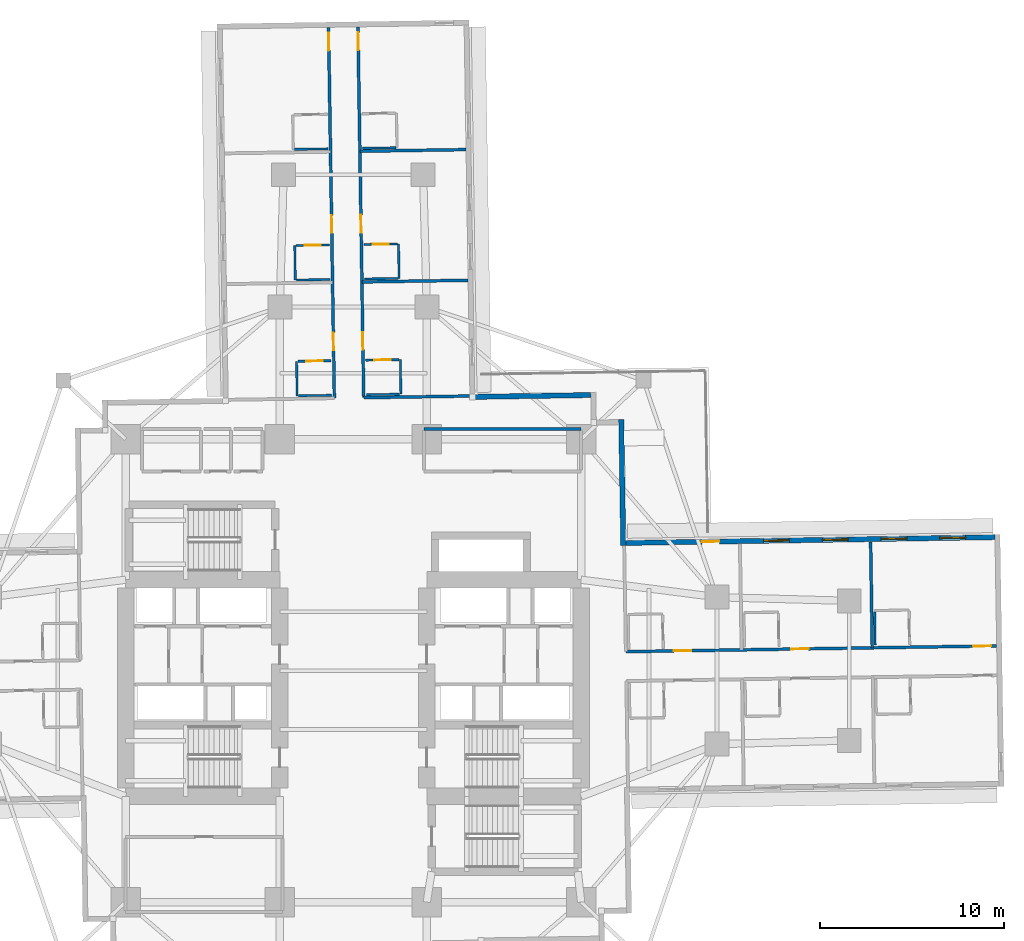
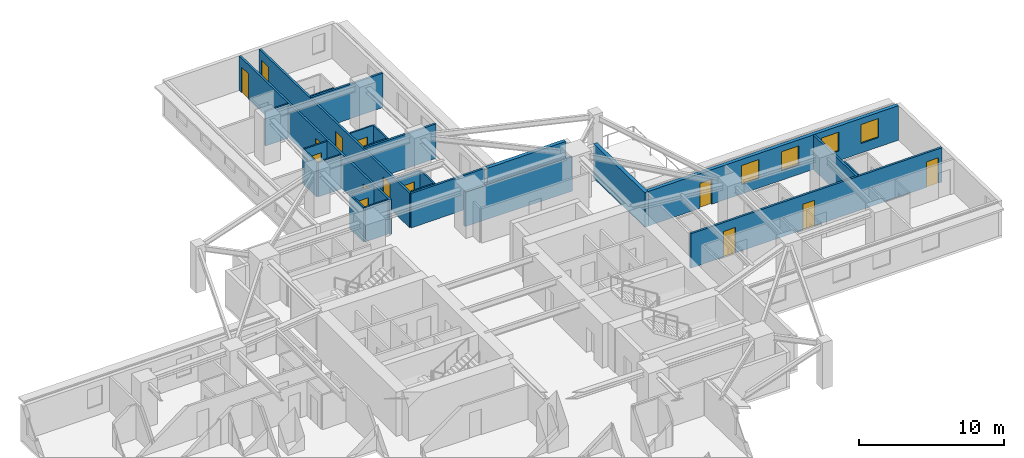
# One storey, part 8 of 14: 26 walls, 14 doors, 4 windows, 18 openings.
"""IFC4 building model written with IfcOpenShell, lengths in metres."""

import ifcopenshell
import ifcopenshell.guid

model = None  # the IFC model being written
_history = None  # IfcOwnerHistory: only IFC2X3 demands one
_inside = {}  # id of a spatial element -> (the spatial element, [elements in it])
_under = {}  # id of a project, library or spatial element -> (it, [spatial elements below it])
_declared = {}  # id of a project -> (the project, [libraries it declares])
_typed = {}  # id of a type object -> (the type object, [elements of that type])
_made_of = {}  # id of a material, layer set ... -> (it, [elements and type objects made of it])


def new_model(schema):
    """Start an empty IFC model of exactly this schema.

    Asked for "IFC4X3", IfcOpenShell would pick the latest addendum, in which some entities
    have other attributes; the version numbers below select the first issue.
    IFC2X3 requires an IfcOwnerHistory on every rooted entity: one is made here for all.
    """
    global model, _history
    if schema == "IFC4X3":
        model = ifcopenshell.file(schema_version=(4, 3, 0, 0))
    else:
        model = ifcopenshell.file(schema=schema)
    _inside.clear()
    _under.clear()
    _declared.clear()
    _typed.clear()
    _made_of.clear()
    _history = None
    if model.schema == "IFC2X3":
        org = make("IfcOrganization", Name="unknown")
        user = make(
            "IfcPersonAndOrganization",
            ThePerson=make("IfcPerson", FamilyName="unknown"),
            TheOrganization=org,
        )
        app = make(
            "IfcApplication",
            ApplicationDeveloper=org,
            Version="unknown",
            ApplicationFullName="unknown",
            ApplicationIdentifier="unknown",
        )
        _history = make(
            "IfcOwnerHistory",
            OwningUser=user,
            OwningApplication=app,
            ChangeAction="ADDED",
            CreationDate=0,
        )
    return model


def make(cls, **values):
    """One entity of the class cls with the attributes given. An attribute that is None is left unset."""
    return model.create_entity(
        cls, **{name: value for name, value in values.items() if value is not None}
    )


def rooted(cls, **values):
    """An entity with a GlobalId (a new one), such as an element, a storey or a relation."""
    return make(cls, GlobalId=ifcopenshell.guid.new(), OwnerHistory=_history, **values)


def si_unit(unit_type, name, prefix=None):
    """IfcSIUnit, for example si_unit("LENGTHUNIT", "METRE", prefix="MILLI")."""
    return make("IfcSIUnit", UnitType=unit_type, Prefix=prefix, Name=name)


def assignment(units):
    """IfcUnitAssignment: the units of a project."""
    return None if units is None else make("IfcUnitAssignment", Units=units)


def point(xyz):
    """IfcCartesianPoint."""
    return None if xyz is None else make("IfcCartesianPoint", Coordinates=xyz)


def direction(xyz):
    """IfcDirection."""
    return None if xyz is None else make("IfcDirection", DirectionRatios=xyz)


def frame(location, z_axis=None, x_axis=None):
    """IfcAxis2Placement3D, a coordinate frame: its origin and axes. An axis left out is left unset."""
    return make(
        "IfcAxis2Placement3D",
        Location=point(location),
        Axis=direction(z_axis),
        RefDirection=direction(x_axis),
    )


def frame_2d(location, x_axis=None):
    """IfcAxis2Placement2D, a coordinate frame in the plane: its origin and x axis."""
    return make(
        "IfcAxis2Placement2D", Location=point(location), RefDirection=direction(x_axis)
    )


def origin():
    """The frame at (0, 0, 0) with its axes left unset."""
    return frame((0.0, 0.0, 0.0))


def place(relative_to, where):
    """IfcLocalPlacement: puts the frame where relative to a parent placement (None: the world)."""
    return make(
        "IfcLocalPlacement", PlacementRelTo=relative_to, RelativePlacement=where
    )


def context(
    kind, dimensions, precision=None, world=None, true_north=None, identifier=None
):
    """IfcGeometricRepresentationContext, for example the 3D "Model" context."""
    return make(
        "IfcGeometricRepresentationContext",
        ContextIdentifier=identifier,
        ContextType=kind,
        CoordinateSpaceDimension=dimensions,
        Precision=precision,
        WorldCoordinateSystem=world,
        TrueNorth=true_north,
    )


def subcontext(parent, identifier, kind, view, scale=None):
    """IfcGeometricRepresentationSubContext, for example "Body" below "Model"."""
    return make(
        "IfcGeometricRepresentationSubContext",
        ContextIdentifier=identifier,
        ContextType=kind,
        ParentContext=parent,
        TargetScale=scale,
        TargetView=view,
    )


def project(units=None, contexts=None):
    """IfcProject with its units and contexts."""
    return rooted(
        "IfcProject",
        Name="project",
        RepresentationContexts=contexts,
        UnitsInContext=assignment(units),
    )


def spatial(cls, under=None, at=None, **own):
    """A site, building, storey or space (cls), placed at a placement, below another one or the project."""
    s = rooted(cls, ObjectPlacement=at, **own)
    if under is not None:
        _under.setdefault(under.id(), (under, []))[1].append(s)
    return s


def profile(cls, at=None, kind="AREA", **sizes):
    """A parametric profile (cls). Its sizes go by their IFC names, for example OverallWidth=200.0."""
    return make(cls, ProfileType=kind, Position=at, **sizes)


def rectangle(**sizes):
    """IfcRectangleProfileDef."""
    return profile("IfcRectangleProfileDef", **sizes)


def extrude(swept, where, along, depth):
    """IfcExtrudedAreaSolid: the profile swept, set in the frame where, extruded along a direction by depth."""
    return make(
        "IfcExtrudedAreaSolid",
        SweptArea=swept,
        Position=where,
        ExtrudedDirection=direction(along),
        Depth=depth,
    )


def shape(context_of_items, identifier, shape_type, items):
    """IfcShapeRepresentation: the items that make up one representation, for example the "Body"."""
    return make(
        "IfcShapeRepresentation",
        ContextOfItems=context_of_items,
        RepresentationIdentifier=identifier,
        RepresentationType=shape_type,
        Items=items,
    )


def material(Name=None, Category=None):
    """IfcMaterial."""
    return make("IfcMaterial", Name=Name, Category=Category)


def layer(
    of_material, thickness, ventilated=None, Name=None, Category=None, Priority=None
):
    """IfcMaterialLayer: one layer of a wall or slab, of a material (None: an air gap)."""
    return make(
        "IfcMaterialLayer",
        Material=of_material,
        LayerThickness=thickness,
        IsVentilated=ventilated,
        Name=Name,
        Category=Category,
        Priority=Priority,
    )


def layer_set(layers, Name=None):
    """IfcMaterialLayerSet."""
    return make("IfcMaterialLayerSet", MaterialLayers=layers, LayerSetName=Name)


def made_of(thing, what):
    """Note that an element or type object is made of a material, layer set ...; save() writes the relation."""
    if what is not None:
        _made_of.setdefault(what.id(), (what, []))[1].append(thing)
    return thing


def type_object(cls, material=None, **own):
    """A type object (cls), such as IfcWallType, which elements share."""
    return made_of(rooted(cls, **own), material)


def element(
    cls,
    number,
    at=None,
    inside=None,
    cuts=None,
    type_object=None,
    material=None,
    context=None,
    identifier="Body",
    shape_type=None,
    held_by="IfcProductDefinitionShape",
    body=None,
    shapes=None,
    **own,
):
    """One element of the class cls, such as IfcWall. Its Tag is "e" and its number.

    at: its placement. inside: the storey or other place that contains it. cuts: it is an
    opening in that element (IfcRelVoidsElement). A single representation is given by context,
    identifier, shape_type and body (its items); several are given by shapes. held_by: the class
    of the entity that holds the representations. save() writes the other relations.
    """
    e = rooted(cls, Tag="e%d" % number, ObjectPlacement=at, **own)
    if body is not None:
        shapes = [shape(context, identifier, shape_type, body)]
    if shapes is not None:
        e.Representation = make(held_by, Representations=shapes)
    if inside is not None:
        _inside.setdefault(inside.id(), (inside, []))[1].append(e)
    if cuts is not None:
        rooted(
            "IfcRelVoidsElement", RelatingBuildingElement=cuts, RelatedOpeningElement=e
        )
    if type_object is not None:
        _typed.setdefault(type_object.id(), (type_object, []))[1].append(e)
    return made_of(e, material)


def fill(opening, filler):
    """IfcRelFillsElement: the door or window that sits in an opening."""
    return rooted(
        "IfcRelFillsElement",
        RelatingOpeningElement=opening,
        RelatedBuildingElement=filler,
    )


def aggregate(whole, parts):
    """IfcRelAggregates: a whole, such as a stair, and the parts it consists of."""
    return rooted("IfcRelAggregates", RelatingObject=whole, RelatedObjects=parts)


def save(model, path):
    """Write the relations noted so far, then the file.

    IfcRelAggregates (storeys below a building ...), IfcRelContainedInSpatialStructure (elements
    in a storey), IfcRelDefinesByType, IfcRelAssociatesMaterial and IfcRelDeclares: one each for
    every whole, place, type object, material and project.
    """
    for whole, parts in _under.values():
        aggregate(whole, parts)
    for where, things in _inside.values():
        rooted(
            "IfcRelContainedInSpatialStructure",
            RelatedElements=things,
            RelatingStructure=where,
        )
    for kind, things in _typed.values():
        rooted("IfcRelDefinesByType", RelatedObjects=things, RelatingType=kind)
    for what, things in _made_of.values():
        rooted("IfcRelAssociatesMaterial", RelatedObjects=things, RelatingMaterial=what)
    for by, libraries in _declared.values():
        rooted("IfcRelDeclares", RelatingContext=by, RelatedDefinitions=libraries)
    model.write(path)


model = new_model("IFC4")

# Units and contexts
model_context = context("Model", 3, precision=1e-05, world=origin(), true_north=direction((0.0, 1.0)))
body_context = subcontext(model_context, "Body", "Model", "MODEL_VIEW")
ifc_project = project(units=[si_unit("LENGTHUNIT", "METRE"), si_unit("AREAUNIT", "SQUARE_METRE"), si_unit("VOLUMEUNIT", "CUBIC_METRE"), si_unit("PLANEANGLEUNIT", "RADIAN"), si_unit("MASSUNIT", "GRAM", prefix="KILO")], contexts=[model_context])

# Site, building, storey
site_placement = place(None, origin())
site = spatial("IfcSite", under=ifc_project, at=site_placement, CompositionType="ELEMENT")
building_placement = place(site_placement, origin())
building = spatial("IfcBuilding", under=site, at=building_placement, Name="Qingluan Cross Belvedere", CompositionType="ELEMENT")
storey_placement = place(building_placement, frame((0.0, 0.0, 27.60009765625)))
storey = spatial("IfcBuildingStorey", under=building, at=storey_placement, Name="L07", CompositionType="ELEMENT", Elevation=27.60009765625)

# Wall
ifc_material_1 = material(Name="Gypsum plasterboard on steel stud acoustic partition", Category="steel")
ifc_layer_1 = layer(ifc_material_1, 0.159912109375, Name="CorridorPartition_160")
ifc_layer_set_1 = layer_set([ifc_layer_1], Name="Gypsum plasterboard on steel stud acoustic partition")
wall_type_1 = type_object("IfcWallType", Name="CorridorPartition_160", PredefinedType="PARTITIONING", material=ifc_layer_set_1)
wall_1_placement = place(storey_placement, frame((3.85009765625, 13.14990234375, 0.0), z_axis=(0.0, 0.0, 1.0), x_axis=(1.0, 0.0, 0.0)))
element("IfcWall", 1, at=wall_1_placement, inside=storey, type_object=wall_type_1, Name="Partition L07:q_ne:N", PredefinedType="PARTITIONING", context=body_context, shape_type="SweptSolid", body=[
    extrude(rectangle(XDim=8.5498046875, YDim=0.159912109375, at=frame_2d((4.27490234375, 0.0))), origin(), (0.0, 0.0, 1.0), 2.89990234375),
])

# Wall, openings, doors
wall_2_placement = place(storey_placement, frame((14.835693359375, 1.033203125, 0.0), z_axis=(0.0, 0.0, 1.0), x_axis=(0.999876717676, 0.015701893165, 0.0)))
wall_2 = element("IfcWall", 2, at=wall_2_placement, inside=storey, type_object=wall_type_1, Name="Partition L07:E:c0", PredefinedType="PARTITIONING", context=body_context, shape_type="SweptSolid", body=[
    extrude(rectangle(XDim=20.181884765625, YDim=0.159912109375, at=frame_2d((10.0908203125, 0.0))), origin(), (0.0, 0.0, 1.0), 2.89990234375),
])
opening_1_placement = place(wall_2_placement, frame((2.610107421875, 0.0, 0.0)))
opening_1 = element("IfcOpeningElement", 3, at=opening_1_placement, cuts=wall_2, Name="Opening GD-10", PredefinedType="OPENING", context=body_context, shape_type="SweptSolid", body=[
    extrude(rectangle(XDim=0.9599609375, YDim=2.14990234375, at=frame_2d((0.47998046875, 1.074951171875))), frame((0.0, 0.08984375, 0.0), z_axis=(0.0, -1.0, 0.0), x_axis=(1.0, 0.0, 0.0)), (0.0, 0.0, 1.0), 0.179931640625),
])
opening_2_placement = place(wall_2_placement, frame((8.993896484375, 0.0, 0.0)))
opening_2 = element("IfcOpeningElement", 4, at=opening_2_placement, cuts=wall_2, Name="Opening GD-10", PredefinedType="OPENING", context=body_context, shape_type="SweptSolid", body=[
    extrude(rectangle(XDim=0.9599609375, YDim=2.14990234375, at=frame_2d((0.47998046875, 1.074951171875))), frame((0.0, 0.08984375, 0.0), z_axis=(0.0, -1.0, 0.0), x_axis=(1.0, 0.0, 0.0)), (0.0, 0.0, 1.0), 0.179931640625),
])
opening_3_placement = place(wall_2_placement, frame((18.929931640625, 0.0, 0.0)))
opening_3 = element("IfcOpeningElement", 5, at=opening_3_placement, cuts=wall_2, Name="Opening GD-10", PredefinedType="OPENING", context=body_context, shape_type="SweptSolid", body=[
    extrude(rectangle(XDim=0.9599609375, YDim=2.14990234375, at=frame_2d((0.47998046875, 1.074951171875))), frame((0.0, 0.08984375, 0.0), z_axis=(0.0, -1.0, 0.0), x_axis=(1.0, 0.0, 0.0)), (0.0, 0.0, 1.0), 0.179931640625),
])
ifc_material_2 = material(Name="Timber oak fire-rated acoustic guestroom door", Category="wood")
door_type_1 = type_object("IfcDoorType", Name="GuestEntryDoor_FD60", OperationType="NOTDEFINED", PredefinedType="DOOR", material=ifc_material_2)
door_1_placement = place(opening_1_placement, origin())
door_1 = element("IfcDoor", 6, at=door_1_placement, inside=storey, type_object=door_type_1, Name="Guest entry fire door 0701", OperationType="SINGLE_SWING_LEFT", OverallHeight=2.14990234375, OverallWidth=0.9599609375, PredefinedType="DOOR", context=body_context, shape_type="SweptSolid", body=[
    extrude(rectangle(XDim=0.9599609375, YDim=2.14990234375, at=frame_2d((0.47998046875, 1.074951171875))), frame((0.0, 0.02490234375, 0.0), z_axis=(0.0, -1.0, 0.0), x_axis=(1.0, 0.0, 0.0)), (0.0, 0.0, 1.0), 0.050048828125),
])
fill(opening_1, door_1)
door_2_placement = place(opening_2_placement, origin())
door_2 = element("IfcDoor", 7, at=door_2_placement, inside=storey, type_object=door_type_1, Name="Guest entry fire door 0702", OperationType="SINGLE_SWING_LEFT", OverallHeight=2.14990234375, OverallWidth=0.9599609375, PredefinedType="DOOR", context=body_context, shape_type="SweptSolid", body=[
    extrude(rectangle(XDim=0.9599609375, YDim=2.14990234375, at=frame_2d((0.47998046875, 1.074951171875))), frame((0.0, 0.02490234375, 0.0), z_axis=(0.0, -1.0, 0.0), x_axis=(1.0, 0.0, 0.0)), (0.0, 0.0, 1.0), 0.050048828125),
])
fill(opening_2, door_2)
door_3_placement = place(opening_3_placement, origin())
door_3 = element("IfcDoor", 8, at=door_3_placement, inside=storey, type_object=door_type_1, Name="Guest entry fire door 0703", OperationType="SINGLE_SWING_LEFT", OverallHeight=2.14990234375, OverallWidth=0.9599609375, PredefinedType="DOOR", context=body_context, shape_type="SweptSolid", body=[
    extrude(rectangle(XDim=0.9599609375, YDim=2.14990234375, at=frame_2d((0.47998046875, 1.074951171875))), frame((0.0, 0.02490234375, 0.0), z_axis=(0.0, -1.0, 0.0), x_axis=(1.0, 0.0, 0.0)), (0.0, 0.0, 1.0), 0.050048828125),
])
fill(opening_3, door_3)

# Wall
wall_3_placement = place(storey_placement, frame((28.251953125, 1.243896484375, 0.0), z_axis=(0.0, 0.0, 1.0), x_axis=(-0.015692470796, 0.999876865599, 0.0)))
element("IfcWall", 9, at=wall_3_placement, inside=storey, type_object=wall_type_1, Name="Partition L07:E:d0_1", PredefinedType="PARTITIONING", context=body_context, shape_type="SweptSolid", body=[
    extrude(rectangle(XDim=5.77197265625, YDim=0.159912109375, at=frame_2d((2.885986328125, 0.0))), origin(), (0.0, 0.0, 1.0), 2.89990234375),
])

# Wall, openings, doors
wall_4_placement = place(storey_placement, frame((0.566650390625, 14.860595703125, 0.0), z_axis=(0.0, 0.0, 1.0), x_axis=(-0.015713797103, 0.999876530668, 0.0)))
wall_4 = element("IfcWall", 10, at=wall_4_placement, inside=storey, type_object=wall_type_1, Name="Partition L07:N:c0", PredefinedType="PARTITIONING", context=body_context, shape_type="SweptSolid", body=[
    extrude(rectangle(XDim=20.18212890625, YDim=0.159912109375, at=frame_2d((10.091064453125, 0.0))), origin(), (0.0, 0.0, 1.0), 2.89990234375),
])
opening_4_placement = place(wall_4_placement, frame((2.610107421875, 0.0, 0.0)))
opening_4 = element("IfcOpeningElement", 11, at=opening_4_placement, cuts=wall_4, Name="Opening GD-10", PredefinedType="OPENING", context=body_context, shape_type="SweptSolid", body=[
    extrude(rectangle(XDim=0.9599609375, YDim=2.14990234375, at=frame_2d((0.47998046875, 1.074951171875))), frame((0.0, 0.08984375, 0.0), z_axis=(0.0, -1.0, 0.0), x_axis=(1.0, 0.0, 0.0)), (0.0, 0.0, 1.0), 0.179931640625),
])
opening_5_placement = place(wall_4_placement, frame((8.993896484375, 0.0, 0.0)))
opening_5 = element("IfcOpeningElement", 12, at=opening_5_placement, cuts=wall_4, Name="Opening GD-10", PredefinedType="OPENING", context=body_context, shape_type="SweptSolid", body=[
    extrude(rectangle(XDim=0.9599609375, YDim=2.14990234375, at=frame_2d((0.47998046875, 1.074951171875))), frame((0.0, 0.08984375, 0.0), z_axis=(0.0, -1.0, 0.0), x_axis=(1.0, 0.0, 0.0)), (0.0, 0.0, 1.0), 0.179931640625),
])
opening_6_placement = place(wall_4_placement, frame((18.929931640625, 0.0, 0.0)))
opening_6 = element("IfcOpeningElement", 13, at=opening_6_placement, cuts=wall_4, Name="Opening GD-10", PredefinedType="OPENING", context=body_context, shape_type="SweptSolid", body=[
    extrude(rectangle(XDim=0.9599609375, YDim=2.14990234375, at=frame_2d((0.47998046875, 1.074951171875))), frame((0.0, 0.08984375, 0.0), z_axis=(0.0, -1.0, 0.0), x_axis=(1.0, 0.0, 0.0)), (0.0, 0.0, 1.0), 0.179931640625),
])
door_4_placement = place(opening_4_placement, origin())
door_4 = element("IfcDoor", 14, at=door_4_placement, inside=storey, type_object=door_type_1, Name="Guest entry fire door 0713", OperationType="SINGLE_SWING_LEFT", OverallHeight=2.14990234375, OverallWidth=0.9599609375, PredefinedType="DOOR", context=body_context, shape_type="SweptSolid", body=[
    extrude(rectangle(XDim=0.9599609375, YDim=2.14990234375, at=frame_2d((0.47998046875, 1.074951171875))), frame((0.0, 0.02490234375, 0.0), z_axis=(0.0, -1.0, 0.0), x_axis=(1.0, 0.0, 0.0)), (0.0, 0.0, 1.0), 0.050048828125),
])
fill(opening_4, door_4)
door_5_placement = place(opening_5_placement, origin())
door_5 = element("IfcDoor", 15, at=door_5_placement, inside=storey, type_object=door_type_1, Name="Guest entry fire door 0714", OperationType="SINGLE_SWING_LEFT", OverallHeight=2.14990234375, OverallWidth=0.9599609375, PredefinedType="DOOR", context=body_context, shape_type="SweptSolid", body=[
    extrude(rectangle(XDim=0.9599609375, YDim=2.14990234375, at=frame_2d((0.47998046875, 1.074951171875))), frame((0.0, 0.02490234375, 0.0), z_axis=(0.0, -1.0, 0.0), x_axis=(1.0, 0.0, 0.0)), (0.0, 0.0, 1.0), 0.050048828125),
])
fill(opening_5, door_5)
door_6_placement = place(opening_6_placement, origin())
door_6 = element("IfcDoor", 16, at=door_6_placement, inside=storey, type_object=door_type_1, Name="Guest entry fire door 0715", OperationType="SINGLE_SWING_LEFT", OverallHeight=2.14990234375, OverallWidth=0.9599609375, PredefinedType="DOOR", context=body_context, shape_type="SweptSolid", body=[
    extrude(rectangle(XDim=0.9599609375, YDim=2.14990234375, at=frame_2d((0.47998046875, 1.074951171875))), frame((0.0, 0.02490234375, 0.0), z_axis=(0.0, -1.0, 0.0), x_axis=(1.0, 0.0, 0.0)), (0.0, 0.0, 1.0), 0.050048828125),
])
fill(opening_6, door_6)

# Walls
wall_5_placement = place(storey_placement, frame((0.566650390625, 14.860595703125, 0.0), z_axis=(0.0, 0.0, 1.0), x_axis=(0.999876548847, 0.015712640343, 0.0)))
element("IfcWall", 17, at=wall_5_placement, inside=storey, type_object=wall_type_1, Name="Partition L07:N:s0", PredefinedType="PARTITIONING", context=body_context, shape_type="SweptSolid", body=[
    extrude(rectangle(XDim=5.919921875, YDim=0.159912109375, at=frame_2d((2.9599609375, 0.0))), origin(), (0.0, 0.0, 1.0), 2.89990234375),
])
for number, where, z_axis, x_axis, name in (
    (18, (0.4677734375, 21.162109375, 0.0), (0.0, 0.0, 1.0), (0.999876865599, 0.015692470796, 0.0), "Partition L07:N:d0_0"),
    (19, (0.35595703125, 28.277099609375, 0.0), (0.0, 0.0, 1.0), (0.999876201031, 0.015734758102, 0.0), "Partition L07:N:d0_1"),
):
    element("IfcWall", number, at=place(storey_placement, frame(where, z_axis=z_axis, x_axis=x_axis)), inside=storey, type_object=wall_type_1, Name=name, PredefinedType="PARTITIONING", context=body_context, shape_type="SweptSolid", body=[
        extrude(rectangle(XDim=5.77197265625, YDim=0.159912109375, at=frame_2d((2.885986328125, 0.0))), origin(), (0.0, 0.0, 1.0), 2.89990234375),
    ])

# Wall, openings, doors
wall_6_placement = place(storey_placement, frame((-1.033203125, 14.835693359375, 0.0), z_axis=(0.0, 0.0, 1.0), x_axis=(-0.015701893165, 0.999876717676, 0.0)))
wall_6 = element("IfcWall", 20, at=wall_6_placement, inside=storey, type_object=wall_type_1, Name="Partition L07:N:c1", PredefinedType="PARTITIONING", context=body_context, shape_type="SweptSolid", body=[
    extrude(rectangle(XDim=20.181884765625, YDim=0.159912109375, at=frame_2d((10.0908203125, 0.0))), origin(), (0.0, 0.0, 1.0), 2.89990234375),
])
opening_7_placement = place(wall_6_placement, frame((2.610107421875, 0.0, 0.0)))
opening_7 = element("IfcOpeningElement", 21, at=opening_7_placement, cuts=wall_6, Name="Opening GD-10", PredefinedType="OPENING", context=body_context, shape_type="SweptSolid", body=[
    extrude(rectangle(XDim=0.9599609375, YDim=2.14990234375, at=frame_2d((0.47998046875, 1.074951171875))), frame((0.0, 0.08984375, 0.0), z_axis=(0.0, -1.0, 0.0), x_axis=(1.0, 0.0, 0.0)), (0.0, 0.0, 1.0), 0.179931640625),
])
opening_8_placement = place(wall_6_placement, frame((8.993896484375, 0.0, 0.0)))
opening_8 = element("IfcOpeningElement", 22, at=opening_8_placement, cuts=wall_6, Name="Opening GD-10", PredefinedType="OPENING", context=body_context, shape_type="SweptSolid", body=[
    extrude(rectangle(XDim=0.9599609375, YDim=2.14990234375, at=frame_2d((0.47998046875, 1.074951171875))), frame((0.0, 0.08984375, 0.0), z_axis=(0.0, -1.0, 0.0), x_axis=(1.0, 0.0, 0.0)), (0.0, 0.0, 1.0), 0.179931640625),
])
opening_9_placement = place(wall_6_placement, frame((18.929931640625, 0.0, 0.0)))
opening_9 = element("IfcOpeningElement", 23, at=opening_9_placement, cuts=wall_6, Name="Opening GD-10", PredefinedType="OPENING", context=body_context, shape_type="SweptSolid", body=[
    extrude(rectangle(XDim=0.9599609375, YDim=2.14990234375, at=frame_2d((0.47998046875, 1.074951171875))), frame((0.0, 0.08984375, 0.0), z_axis=(0.0, -1.0, 0.0), x_axis=(1.0, 0.0, 0.0)), (0.0, 0.0, 1.0), 0.179931640625),
])
door_7_placement = place(opening_7_placement, origin())
door_7 = element("IfcDoor", 24, at=door_7_placement, inside=storey, type_object=door_type_1, Name="Guest entry fire door 0716", OperationType="SINGLE_SWING_LEFT", OverallHeight=2.14990234375, OverallWidth=0.9599609375, PredefinedType="DOOR", context=body_context, shape_type="SweptSolid", body=[
    extrude(rectangle(XDim=0.9599609375, YDim=2.14990234375, at=frame_2d((0.47998046875, 1.074951171875))), frame((0.0, 0.02490234375, 0.0), z_axis=(0.0, -1.0, 0.0), x_axis=(1.0, 0.0, 0.0)), (0.0, 0.0, 1.0), 0.050048828125),
])
fill(opening_7, door_7)
door_8_placement = place(opening_8_placement, origin())
door_8 = element("IfcDoor", 25, at=door_8_placement, inside=storey, type_object=door_type_1, Name="Guest entry fire door 0717", OperationType="SINGLE_SWING_LEFT", OverallHeight=2.14990234375, OverallWidth=0.9599609375, PredefinedType="DOOR", context=body_context, shape_type="SweptSolid", body=[
    extrude(rectangle(XDim=0.9599609375, YDim=2.14990234375, at=frame_2d((0.47998046875, 1.074951171875))), frame((0.0, 0.02490234375, 0.0), z_axis=(0.0, -1.0, 0.0), x_axis=(1.0, 0.0, 0.0)), (0.0, 0.0, 1.0), 0.050048828125),
])
fill(opening_8, door_8)
door_9_placement = place(opening_9_placement, origin())
door_9 = element("IfcDoor", 26, at=door_9_placement, inside=storey, type_object=door_type_1, Name="Guest entry fire door 0718", OperationType="SINGLE_SWING_LEFT", OverallHeight=2.14990234375, OverallWidth=0.9599609375, PredefinedType="DOOR", context=body_context, shape_type="SweptSolid", body=[
    extrude(rectangle(XDim=0.9599609375, YDim=2.14990234375, at=frame_2d((0.47998046875, 1.074951171875))), frame((0.0, 0.02490234375, 0.0), z_axis=(0.0, -1.0, 0.0), x_axis=(1.0, 0.0, 0.0)), (0.0, 0.0, 1.0), 0.050048828125),
])
fill(opening_9, door_9)

# Wall
ifc_material_3 = material(Name="Moisture-resistant gypsum board lining")
ifc_layer_2 = layer(ifc_material_3, 0.1201171875, Name="EnsuiteWetPartition_120")
ifc_layer_set_2 = layer_set([ifc_layer_2], Name="Moisture-resistant gypsum board lining")
wall_type_2 = type_object("IfcWallType", Name="EnsuiteWetPartition_120", PredefinedType="PARTITIONING", material=ifc_layer_set_2)
wall_7_placement = place(storey_placement, frame((28.40966796875, 1.386474609375, 0.0), z_axis=(0.0, 0.0, 1.0), x_axis=(-0.015694337248, 0.999876836305, 0.0)))
element("IfcWall", 27, at=wall_7_placement, inside=storey, type_object=wall_type_2, Name="Partition L07:E:bw0_2", PredefinedType="PARTITIONING", context=body_context, shape_type="SweptSolid", body=[
    extrude(rectangle(XDim=1.820068359375, YDim=0.1201171875, at=frame_2d((0.91015625, 0.0))), origin(), (0.0, 0.0, 1.0), 2.89990234375),
])

# Wall, opening, door
wall_8_placement = place(storey_placement, frame((0.674560546875, 16.902587890625, 0.0), z_axis=(0.0, 0.0, 1.0), x_axis=(0.999874722342, 0.015828443418, 0.0)))
wall_8 = element("IfcWall", 28, at=wall_8_placement, inside=storey, type_object=wall_type_2, Name="Partition L07:N:bs0_0", PredefinedType="PARTITIONING", context=body_context, shape_type="SweptSolid", body=[
    extrude(rectangle(XDim=1.820068359375, YDim=0.1201171875, at=frame_2d((0.91015625, 0.0))), origin(), (0.0, 0.0, 1.0), 2.89990234375),
])
opening_10_placement = place(wall_8_placement, frame((0.469970703125, 0.0, 0.0)))
opening_10 = element("IfcOpeningElement", 29, at=opening_10_placement, cuts=wall_8, Name="Opening BD-09", PredefinedType="OPENING", context=body_context, shape_type="SweptSolid", body=[
    extrude(rectangle(XDim=0.8798828125, YDim=2.10009765625, at=frame_2d((0.43994140625, 1.050048828125))), frame((0.0, 0.070068359375, 0.0), z_axis=(0.0, -1.0, 0.0), x_axis=(1.0, 0.0, 0.0)), (0.0, 0.0, 1.0), 0.14013671875),
])
ifc_material_4 = material(Name="Moisture-sealed timber en-suite door", Category="wood")
door_type_2 = type_object("IfcDoorType", Name="BathroomDoor_880", OperationType="NOTDEFINED", PredefinedType="DOOR", material=ifc_material_4)
door_10_placement = place(opening_10_placement, origin())
door_10 = element("IfcDoor", 30, at=door_10_placement, inside=storey, type_object=door_type_2, Name="Bathroom door 0713", OperationType="SINGLE_SWING_RIGHT", OverallHeight=2.10009765625, OverallWidth=0.8798828125, PredefinedType="DOOR", context=body_context, shape_type="SweptSolid", body=[
    extrude(rectangle(XDim=0.8798828125, YDim=2.10009765625, at=frame_2d((0.43994140625, 1.050048828125))), frame((0.0, 0.02490234375, 0.0), z_axis=(0.0, -1.0, 0.0), x_axis=(1.0, 0.0, 0.0)), (0.0, 0.0, 1.0), 0.050048828125),
])
fill(opening_10, door_10)

# Walls
wall_9_placement = place(storey_placement, frame((0.7041015625, 15.02294921875, 0.0), z_axis=(0.0, 0.0, 1.0), x_axis=(0.999876836305, 0.015694337248, 0.0)))
element("IfcWall", 31, at=wall_9_placement, inside=storey, type_object=wall_type_2, Name="Partition L07:N:bw0_0", PredefinedType="PARTITIONING", context=body_context, shape_type="SweptSolid", body=[
    extrude(rectangle(XDim=1.820068359375, YDim=0.1201171875, at=frame_2d((0.91015625, 0.0))), origin(), (0.0, 0.0, 1.0), 2.89990234375),
])
wall_10_placement = place(storey_placement, frame((2.5888671875, 15.052490234375, 0.0), z_axis=(0.0, 0.0, 1.0), x_axis=(-0.01571234584, 0.999876553475, 0.0)))
element("IfcWall", 32, at=wall_10_placement, inside=storey, type_object=wall_type_2, Name="Partition L07:N:bn0_0", PredefinedType="PARTITIONING", context=body_context, shape_type="SweptSolid", body=[
    extrude(rectangle(XDim=1.880126953125, YDim=0.1201171875, at=frame_2d((0.93994140625, 0.0))), origin(), (0.0, 0.0, 1.0), 2.89990234375),
])

# Wall, opening, door
wall_11_placement = place(storey_placement, frame((0.57568359375, 23.203857421875, 0.0), z_axis=(0.0, 0.0, 1.0), x_axis=(0.999876836305, 0.015694337248, 0.0)))
wall_11 = element("IfcWall", 33, at=wall_11_placement, inside=storey, type_object=wall_type_2, Name="Partition L07:N:bs0_1", PredefinedType="PARTITIONING", context=body_context, shape_type="SweptSolid", body=[
    extrude(rectangle(XDim=1.820068359375, YDim=0.1201171875, at=frame_2d((0.91015625, 0.0))), origin(), (0.0, 0.0, 1.0), 2.89990234375),
])
opening_11_placement = place(wall_11_placement, frame((0.469970703125, 0.0, 0.0)))
opening_11 = element("IfcOpeningElement", 34, at=opening_11_placement, cuts=wall_11, Name="Opening BD-09", PredefinedType="OPENING", context=body_context, shape_type="SweptSolid", body=[
    extrude(rectangle(XDim=0.8798828125, YDim=2.10009765625, at=frame_2d((0.43994140625, 1.050048828125))), frame((0.0, 0.070068359375, 0.0), z_axis=(0.0, -1.0, 0.0), x_axis=(1.0, 0.0, 0.0)), (0.0, 0.0, 1.0), 0.14013671875),
])
door_11_placement = place(opening_11_placement, origin())
door_11 = element("IfcDoor", 35, at=door_11_placement, inside=storey, type_object=door_type_2, Name="Bathroom door 0714", OperationType="SINGLE_SWING_RIGHT", OverallHeight=2.10009765625, OverallWidth=0.8798828125, PredefinedType="DOOR", context=body_context, shape_type="SweptSolid", body=[
    extrude(rectangle(XDim=0.8798828125, YDim=2.10009765625, at=frame_2d((0.43994140625, 1.050048828125))), frame((0.0, 0.02490234375, 0.0), z_axis=(0.0, -1.0, 0.0), x_axis=(1.0, 0.0, 0.0)), (0.0, 0.0, 1.0), 0.050048828125),
])
fill(opening_11, door_11)

# Walls
wall_12_placement = place(storey_placement, frame((0.60498046875, 21.32421875, 0.0), z_axis=(0.0, 0.0, 1.0), x_axis=(0.999876836305, 0.015694337248, 0.0)))
element("IfcWall", 36, at=wall_12_placement, inside=storey, type_object=wall_type_2, Name="Partition L07:N:bw0_1", PredefinedType="PARTITIONING", context=body_context, shape_type="SweptSolid", body=[
    extrude(rectangle(XDim=1.820068359375, YDim=0.1201171875, at=frame_2d((0.91015625, 0.0))), origin(), (0.0, 0.0, 1.0), 2.89990234375),
])
wall_13_placement = place(storey_placement, frame((2.489990234375, 21.353759765625, 0.0), z_axis=(0.0, 0.0, 1.0), x_axis=(-0.015714386166, 0.99987652141, 0.0)))
element("IfcWall", 37, at=wall_13_placement, inside=storey, type_object=wall_type_2, Name="Partition L07:N:bn0_1", PredefinedType="PARTITIONING", context=body_context, shape_type="SweptSolid", body=[
    extrude(rectangle(XDim=1.8798828125, YDim=0.1201171875, at=frame_2d((0.93994140625, 0.0))), origin(), (0.0, 0.0, 1.0), 2.89990234375),
])
wall_14_placement = place(storey_placement, frame((0.493408203125, 28.439208984375, 0.0), z_axis=(0.0, 0.0, 1.0), x_axis=(0.999876803258, 0.015696442504, 0.0)))
element("IfcWall", 38, at=wall_14_placement, inside=storey, type_object=wall_type_2, Name="Partition L07:N:bw0_2", PredefinedType="PARTITIONING", context=body_context, shape_type="SweptSolid", body=[
    extrude(rectangle(XDim=1.81982421875, YDim=0.1201171875, at=frame_2d((0.909912109375, 0.0))), origin(), (0.0, 0.0, 1.0), 2.89990234375),
])

# Wall, opening, door
wall_15_placement = place(storey_placement, frame((-3.02490234375, 16.844482421875, 0.0), z_axis=(0.0, 0.0, 1.0), x_axis=(0.999874722342, 0.015828443418, 0.0)))
wall_15 = element("IfcWall", 39, at=wall_15_placement, inside=storey, type_object=wall_type_2, Name="Partition L07:N:bs1_0", PredefinedType="PARTITIONING", context=body_context, shape_type="SweptSolid", body=[
    extrude(rectangle(XDim=1.820068359375, YDim=0.1201171875, at=frame_2d((0.91015625, 0.0))), origin(), (0.0, 0.0, 1.0), 2.89990234375),
])
opening_12_placement = place(wall_15_placement, frame((0.469970703125, 0.0, 0.0)))
opening_12 = element("IfcOpeningElement", 40, at=opening_12_placement, cuts=wall_15, Name="Opening BD-09", PredefinedType="OPENING", context=body_context, shape_type="SweptSolid", body=[
    extrude(rectangle(XDim=0.8798828125, YDim=2.10009765625, at=frame_2d((0.43994140625, 1.050048828125))), frame((0.0, 0.070068359375, 0.0), z_axis=(0.0, -1.0, 0.0), x_axis=(1.0, 0.0, 0.0)), (0.0, 0.0, 1.0), 0.14013671875),
])
door_12_placement = place(opening_12_placement, origin())
door_12 = element("IfcDoor", 41, at=door_12_placement, inside=storey, type_object=door_type_2, Name="Bathroom door 0716", OperationType="SINGLE_SWING_RIGHT", OverallHeight=2.10009765625, OverallWidth=0.8798828125, PredefinedType="DOOR", context=body_context, shape_type="SweptSolid", body=[
    extrude(rectangle(XDim=0.8798828125, YDim=2.10009765625, at=frame_2d((0.43994140625, 1.050048828125))), frame((0.0, 0.02490234375, 0.0), z_axis=(0.0, -1.0, 0.0), x_axis=(1.0, 0.0, 0.0)), (0.0, 0.0, 1.0), 0.050048828125),
])
fill(opening_12, door_12)

# Walls
wall_16_placement = place(storey_placement, frame((-2.995361328125, 14.96484375, 0.0), z_axis=(0.0, 0.0, 1.0), x_axis=(0.999876803258, 0.015696442504, 0.0)))
element("IfcWall", 42, at=wall_16_placement, inside=storey, type_object=wall_type_2, Name="Partition L07:N:bw1_0", PredefinedType="PARTITIONING", context=body_context, shape_type="SweptSolid", body=[
    extrude(rectangle(XDim=1.81982421875, YDim=0.1201171875, at=frame_2d((0.909912109375, 0.0))), origin(), (0.0, 0.0, 1.0), 2.89990234375),
])
wall_17_placement = place(storey_placement, frame((-3.060302734375, 14.9638671875, 0.0), z_axis=(0.0, 0.0, 1.0), x_axis=(-0.015714386166, 0.99987652141, 0.0)))
element("IfcWall", 43, at=wall_17_placement, inside=storey, type_object=wall_type_2, Name="Partition L07:N:bc1_0", PredefinedType="PARTITIONING", context=body_context, shape_type="SweptSolid", body=[
    extrude(rectangle(XDim=1.8798828125, YDim=0.1201171875, at=frame_2d((0.93994140625, 0.0))), origin(), (0.0, 0.0, 1.0), 2.89990234375),
])

# Wall, opening, door
wall_18_placement = place(storey_placement, frame((-3.123779296875, 23.145751953125, 0.0), z_axis=(0.0, 0.0, 1.0), x_axis=(0.999876803258, 0.015696442504, 0.0)))
wall_18 = element("IfcWall", 44, at=wall_18_placement, inside=storey, type_object=wall_type_2, Name="Partition L07:N:bs1_1", PredefinedType="PARTITIONING", context=body_context, shape_type="SweptSolid", body=[
    extrude(rectangle(XDim=1.81982421875, YDim=0.1201171875, at=frame_2d((0.909912109375, 0.0))), origin(), (0.0, 0.0, 1.0), 2.89990234375),
])
opening_13_placement = place(wall_18_placement, frame((0.469970703125, 0.0, 0.0)))
opening_13 = element("IfcOpeningElement", 45, at=opening_13_placement, cuts=wall_18, Name="Opening BD-09", PredefinedType="OPENING", context=body_context, shape_type="SweptSolid", body=[
    extrude(rectangle(XDim=0.8798828125, YDim=2.10009765625, at=frame_2d((0.43994140625, 1.050048828125))), frame((0.0, 0.070068359375, 0.0), z_axis=(0.0, -1.0, 0.0), x_axis=(1.0, 0.0, 0.0)), (0.0, 0.0, 1.0), 0.14013671875),
])
door_13_placement = place(opening_13_placement, origin())
door_13 = element("IfcDoor", 46, at=door_13_placement, inside=storey, type_object=door_type_2, Name="Bathroom door 0717", OperationType="SINGLE_SWING_RIGHT", OverallHeight=2.10009765625, OverallWidth=0.8798828125, PredefinedType="DOOR", context=body_context, shape_type="SweptSolid", body=[
    extrude(rectangle(XDim=0.8798828125, YDim=2.10009765625, at=frame_2d((0.43994140625, 1.050048828125))), frame((0.0, 0.02490234375, 0.0), z_axis=(0.0, -1.0, 0.0), x_axis=(1.0, 0.0, 0.0)), (0.0, 0.0, 1.0), 0.050048828125),
])
fill(opening_13, door_13)

# Walls
wall_19_placement = place(storey_placement, frame((-3.094482421875, 21.26611328125, 0.0), z_axis=(0.0, 0.0, 1.0), x_axis=(0.999876836305, 0.015694337248, 0.0)))
element("IfcWall", 47, at=wall_19_placement, inside=storey, type_object=wall_type_2, Name="Partition L07:N:bw1_1", PredefinedType="PARTITIONING", context=body_context, shape_type="SweptSolid", body=[
    extrude(rectangle(XDim=1.820068359375, YDim=0.1201171875, at=frame_2d((0.91015625, 0.0))), origin(), (0.0, 0.0, 1.0), 2.89990234375),
])
wall_20_placement = place(storey_placement, frame((-3.159423828125, 21.264892578125, 0.0), z_axis=(0.0, 0.0, 1.0), x_axis=(-0.01571234584, 0.999876553475, 0.0)))
element("IfcWall", 48, at=wall_20_placement, inside=storey, type_object=wall_type_2, Name="Partition L07:N:bc1_1", PredefinedType="PARTITIONING", context=body_context, shape_type="SweptSolid", body=[
    extrude(rectangle(XDim=1.880126953125, YDim=0.1201171875, at=frame_2d((0.93994140625, 0.0))), origin(), (0.0, 0.0, 1.0), 2.89990234375),
])
wall_21_placement = place(storey_placement, frame((-3.206298828125, 28.381103515625, 0.0), z_axis=(0.0, 0.0, 1.0), x_axis=(0.999876836305, 0.015694337248, 0.0)))
element("IfcWall", 49, at=wall_21_placement, inside=storey, type_object=wall_type_2, Name="Partition L07:N:bw1_2", PredefinedType="PARTITIONING", context=body_context, shape_type="SweptSolid", body=[
    extrude(rectangle(XDim=1.820068359375, YDim=0.1201171875, at=frame_2d((0.91015625, 0.0))), origin(), (0.0, 0.0, 1.0), 2.89990234375),
])

# Wall, openings, windows, door
ifc_material_5 = material(Name="Precast concrete C45", Category="concrete")
ifc_layer_3 = layer(ifc_material_5, 0.280029296875, Name="PrecastFacadeWall_280")
ifc_layer_set_3 = layer_set([ifc_layer_3], Name="Precast concrete C45")
wall_type_3 = type_object("IfcWallType", Name="PrecastFacadeWall_280", PredefinedType="STANDARD", material=ifc_layer_set_3)
wall_22_placement = place(storey_placement, frame((34.93017578125, 7.26953125, 0.0), z_axis=(0.0, 0.0, 1.0), x_axis=(-0.999876667941, -0.015705059908, 0.0)))
wall_22 = element("IfcWall", 50, at=wall_22_placement, inside=storey, type_object=wall_type_3, Name="Facade wall L07-EB", PredefinedType="STANDARD", context=body_context, shape_type="SweptSolid", body=[
    extrude(rectangle(XDim=20.10009765625, YDim=0.280029296875, at=frame_2d((10.050048828125, 0.0))), origin(), (0.0, 0.0, 1.0), 2.909912109375),
])
opening_14_placement = place(wall_22_placement, frame((1.60009765625, 0.0, 0.800048828125)))
opening_14 = element("IfcOpeningElement", 51, at=opening_14_placement, cuts=wall_22, Name="Opening W-01", PredefinedType="OPENING", context=body_context, shape_type="SweptSolid", body=[
    extrude(rectangle(XDim=1.39990234375, YDim=1.60009765625, at=frame_2d((0.699951171875, 0.800048828125))), frame((0.0, 0.14990234375, 0.0), z_axis=(0.0, -1.0, 0.0), x_axis=(1.0, 0.0, 0.0)), (0.0, 0.0, 1.0), 0.300048828125),
])
opening_15_placement = place(wall_22_placement, frame((4.800048828125, 0.0, 0.800048828125)))
opening_15 = element("IfcOpeningElement", 52, at=opening_15_placement, cuts=wall_22, Name="Opening W-01", PredefinedType="OPENING", context=body_context, shape_type="SweptSolid", body=[
    extrude(rectangle(XDim=1.39990234375, YDim=1.60009765625, at=frame_2d((0.699951171875, 0.800048828125))), frame((0.0, 0.14990234375, 0.0), z_axis=(0.0, -1.0, 0.0), x_axis=(1.0, 0.0, 0.0)), (0.0, 0.0, 1.0), 0.300048828125),
])
opening_16_placement = place(wall_22_placement, frame((8.0, 0.0, 0.800048828125)))
opening_16 = element("IfcOpeningElement", 53, at=opening_16_placement, cuts=wall_22, Name="Opening W-01", PredefinedType="OPENING", context=body_context, shape_type="SweptSolid", body=[
    extrude(rectangle(XDim=1.39990234375, YDim=1.60009765625, at=frame_2d((0.699951171875, 0.800048828125))), frame((0.0, 0.14990234375, 0.0), z_axis=(0.0, -1.0, 0.0), x_axis=(1.0, 0.0, 0.0)), (0.0, 0.0, 1.0), 0.300048828125),
])
opening_17_placement = place(wall_22_placement, frame((11.199951171875, 0.0, 0.800048828125)))
opening_17 = element("IfcOpeningElement", 54, at=opening_17_placement, cuts=wall_22, Name="Opening W-01", PredefinedType="OPENING", context=body_context, shape_type="SweptSolid", body=[
    extrude(rectangle(XDim=1.39990234375, YDim=1.60009765625, at=frame_2d((0.699951171875, 0.800048828125))), frame((0.0, 0.14990234375, 0.0), z_axis=(0.0, -1.0, 0.0), x_axis=(1.0, 0.0, 0.0)), (0.0, 0.0, 1.0), 0.300048828125),
])
opening_18_placement = place(wall_22_placement, frame((15.0, 0.0, 0.0)))
opening_18 = element("IfcOpeningElement", 55, at=opening_18_placement, cuts=wall_22, Name="Opening WD-10", PredefinedType="OPENING", context=body_context, shape_type="SweptSolid", body=[
    extrude(rectangle(XDim=0.9599609375, YDim=2.10009765625, at=frame_2d((0.47998046875, 1.050048828125))), frame((0.0, 0.14990234375, 0.0), z_axis=(0.0, -1.0, 0.0), x_axis=(1.0, 0.0, 0.0)), (0.0, 0.0, 1.0), 0.300048828125),
])
ifc_material_6 = material(Name="Thermally broken triple Low-E glass in aluminium frame", Category="aluminium")
window_type = type_object("IfcWindowType", Name="TriRibbonWin_1400x1600", PartitioningType="SINGLE_PANEL", PredefinedType="WINDOW", material=ifc_material_6)
window_1_placement = place(opening_14_placement, origin())
window_1 = element("IfcWindow", 56, at=window_1_placement, inside=storey, type_object=window_type, Name="Ribbon window L07-EB-1", OverallHeight=1.60009765625, OverallWidth=1.39990234375, PartitioningType="SINGLE_PANEL", PredefinedType="WINDOW", context=body_context, shape_type="SweptSolid", body=[
    extrude(rectangle(XDim=1.39990234375, YDim=1.60009765625, at=frame_2d((0.699951171875, 0.800048828125))), frame((0.0, 0.030029296875, 0.0), z_axis=(0.0, -1.0, 0.0), x_axis=(1.0, 0.0, 0.0)), (0.0, 0.0, 1.0), 0.06005859375),
])
fill(opening_14, window_1)
window_2_placement = place(opening_15_placement, origin())
window_2 = element("IfcWindow", 57, at=window_2_placement, inside=storey, type_object=window_type, Name="Ribbon window L07-EB-2", OverallHeight=1.60009765625, OverallWidth=1.39990234375, PartitioningType="SINGLE_PANEL", PredefinedType="WINDOW", context=body_context, shape_type="SweptSolid", body=[
    extrude(rectangle(XDim=1.39990234375, YDim=1.60009765625, at=frame_2d((0.699951171875, 0.800048828125))), frame((0.0, 0.030029296875, 0.0), z_axis=(0.0, -1.0, 0.0), x_axis=(1.0, 0.0, 0.0)), (0.0, 0.0, 1.0), 0.06005859375),
])
fill(opening_15, window_2)
window_3_placement = place(opening_16_placement, origin())
window_3 = element("IfcWindow", 58, at=window_3_placement, inside=storey, type_object=window_type, Name="Ribbon window L07-EB-3", OverallHeight=1.60009765625, OverallWidth=1.39990234375, PartitioningType="SINGLE_PANEL", PredefinedType="WINDOW", context=body_context, shape_type="SweptSolid", body=[
    extrude(rectangle(XDim=1.39990234375, YDim=1.60009765625, at=frame_2d((0.699951171875, 0.800048828125))), frame((0.0, 0.030029296875, 0.0), z_axis=(0.0, -1.0, 0.0), x_axis=(1.0, 0.0, 0.0)), (0.0, 0.0, 1.0), 0.06005859375),
])
fill(opening_16, window_3)
window_4_placement = place(opening_17_placement, origin())
window_4 = element("IfcWindow", 59, at=window_4_placement, inside=storey, type_object=window_type, Name="Ribbon window L07-EB-4", OverallHeight=1.60009765625, OverallWidth=1.39990234375, PartitioningType="SINGLE_PANEL", PredefinedType="WINDOW", context=body_context, shape_type="SweptSolid", body=[
    extrude(rectangle(XDim=1.39990234375, YDim=1.60009765625, at=frame_2d((0.699951171875, 0.800048828125))), frame((0.0, 0.030029296875, 0.0), z_axis=(0.0, -1.0, 0.0), x_axis=(1.0, 0.0, 0.0)), (0.0, 0.0, 1.0), 0.06005859375),
])
fill(opening_17, window_4)
ifc_material_7 = material(Name="Thermally broken aluminium and Low-E glass", Category="aluminium")
door_type_3 = type_object("IfcDoorType", Name="WinterGardenDoor_096", OperationType="NOTDEFINED", PredefinedType="DOOR", material=ifc_material_7)
door_14_placement = place(opening_18_placement, origin())
door_14 = element("IfcDoor", 60, at=door_14_placement, inside=storey, type_object=door_type_3, Name="Outdoor terrace access door L07-spi", OperationType="SINGLE_SWING_RIGHT", OverallHeight=2.10009765625, OverallWidth=0.9599609375, PredefinedType="DOOR", context=body_context, shape_type="SweptSolid", body=[
    extrude(rectangle(XDim=0.9599609375, YDim=2.10009765625, at=frame_2d((0.47998046875, 1.050048828125))), frame((0.0, 0.02490234375, 0.0), z_axis=(0.0, -1.0, 0.0), x_axis=(1.0, 0.0, 0.0)), (0.0, 0.0, 1.0), 0.050048828125),
])
fill(opening_18, door_14)

# Walls
wall_23_placement = place(storey_placement, frame((14.69482421875, 6.811767578125, 0.0), z_axis=(0.0, 0.0, 1.0), x_axis=(-0.015694809807, 0.999876828887, 0.0)))
element("IfcWall", 61, at=wall_23_placement, inside=storey, type_object=wall_type_3, Name="Corner wall L07-NE1", PredefinedType="STANDARD", context=body_context, shape_type="SweptSolid", body=[
    extrude(rectangle(XDim=6.85986328125, YDim=0.280029296875, at=frame_2d((3.429931640625, 0.0))), origin(), (0.0, 0.0, 1.0), 2.909912109375),
])
wall_24_placement = place(storey_placement, frame((12.92578125, 15.0048828125, 0.0), z_axis=(0.0, 0.0, 1.0), x_axis=(-0.999876823822, -0.015695132501, 0.0)))
element("IfcWall", 62, at=wall_24_placement, inside=storey, type_object=wall_type_3, Name="Corner wall L07-NE4", PredefinedType="STANDARD", context=body_context, shape_type="SweptSolid", body=[
    extrude(rectangle(XDim=6.2998046875, YDim=0.280029296875, at=frame_2d((3.14990234375, 0.0))), origin(), (0.0, 0.0, 1.0), 2.909912109375),
])

save(model, "model.ifc")
